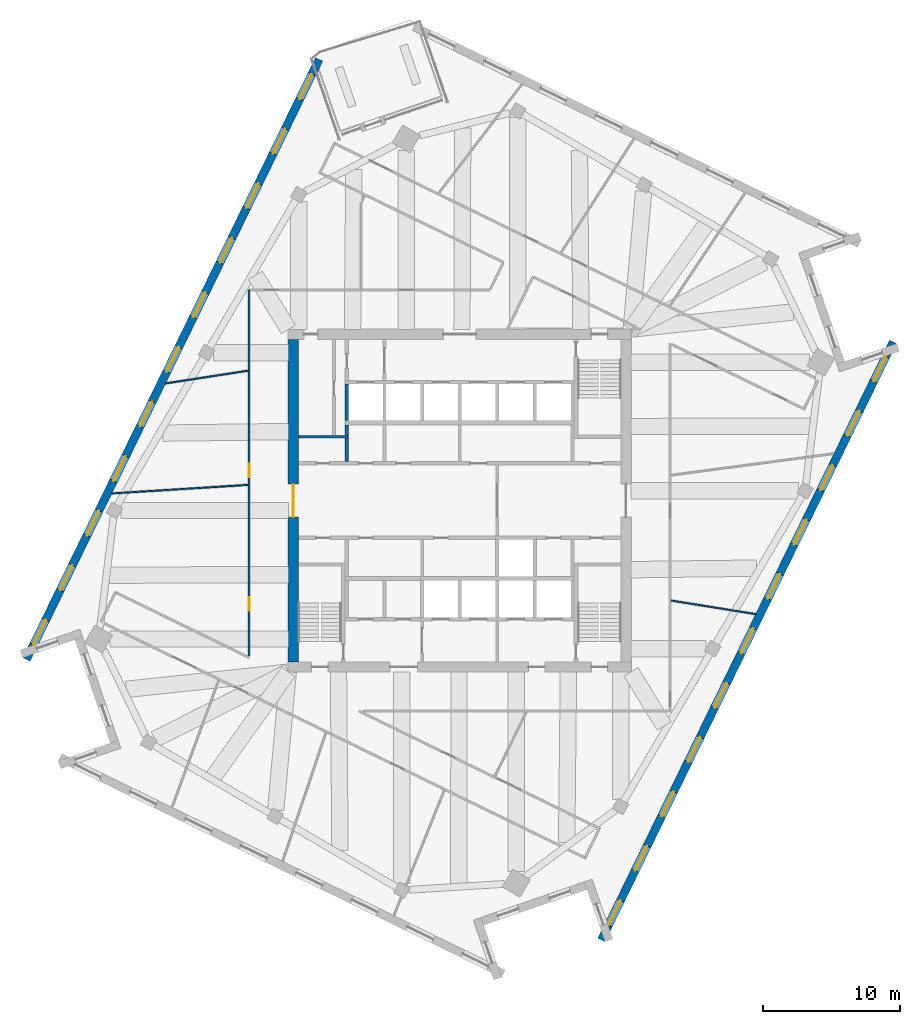
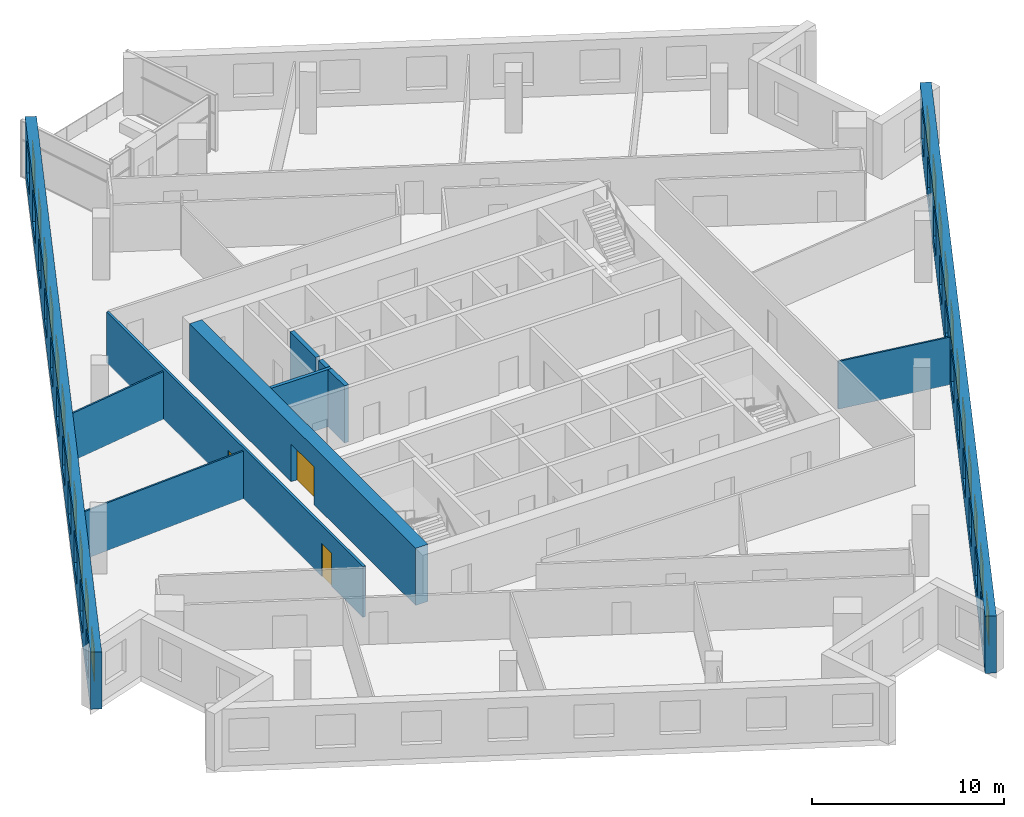
# One storey, part 8 of 13: 22 windows, 11 walls, 3 doors, 25 openings.
"""IFC4 building model written with IfcOpenShell, lengths in metres."""

from ifc_helpers import new_model, si_unit, direction, frame, frame_2d, origin, place, context, subcontext, project, spatial, rectangle, extrude, material, layer, layer_set, type_object, element, fill, save


model = new_model("IFC4")

# Units and contexts
model_context = context("Model", 3, precision=1e-05, world=origin(), true_north=direction((0.0, 1.0)))
body_context = subcontext(model_context, "Body", "Model", "MODEL_VIEW")
ifc_project = project(units=[si_unit("LENGTHUNIT", "METRE"), si_unit("AREAUNIT", "SQUARE_METRE"), si_unit("VOLUMEUNIT", "CUBIC_METRE"), si_unit("PLANEANGLEUNIT", "RADIAN"), si_unit("MASSUNIT", "GRAM", prefix="KILO")], contexts=[model_context])

# Site, building, storey
site_placement = place(None, origin())
site = spatial("IfcSite", under=ifc_project, at=site_placement, CompositionType="ELEMENT")
building_placement = place(site_placement, origin())
building = spatial("IfcBuilding", under=site, at=building_placement, Name="Dilmun Exchange Tower", CompositionType="ELEMENT")
storey_placement = place(building_placement, frame((0.0, 0.0, 286.89990234375)))
storey = spatial("IfcBuildingStorey", under=building, at=storey_placement, Name="L68", CompositionType="ELEMENT", Elevation=286.89990234375)

# Walls
ifc_material_1 = material(Name="Concrete C40/50", Category="concrete")
ifc_layer_1 = layer(ifc_material_1, 0.199951171875)
ifc_layer_set_1 = layer_set([ifc_layer_1], Name="Concrete C40/50")
wall_type_1 = type_object("IfcWallType", Name="Core partition wall 200", PredefinedType="PARTITIONING", material=ifc_layer_set_1)
wall_1_placement = place(storey_placement, frame((-11.794921875, 4.675048828125, 0.0), z_axis=(0.0, 0.0, 1.0), x_axis=(1.0, 0.0, 0.0)))
element("IfcWall", 1, at=wall_1_placement, inside=storey, type_object=wall_type_1, Name="L68 core partition wall 18", PredefinedType="PARTITIONING", context=body_context, shape_type="SweptSolid", body=[
    extrude(rectangle(XDim=3.64501953125, YDim=0.199951171875, at=frame_2d((1.822509765625, 0.0))), origin(), (0.0, 0.0, 1.0), 3.64013671875),
])
ifc_layer_2 = layer(ifc_material_1, 0.25)
ifc_layer_set_2 = layer_set([ifc_layer_2], Name="Concrete C40/50")
wall_type_2 = type_object("IfcWallType", Name="Core partition wall 250", PredefinedType="PARTITIONING", material=ifc_layer_set_2)
wall_2_placement = place(storey_placement, frame((-8.25, 2.85498046875, 0.0), z_axis=(0.0, 0.0, 1.0), x_axis=(0.0, 1.0, 0.0)))
element("IfcWall", 2, at=wall_2_placement, inside=storey, type_object=wall_type_2, Name="L68 core partition wall 14", PredefinedType="PARTITIONING", context=body_context, shape_type="SweptSolid", body=[
    extrude(rectangle(XDim=1.715087890625, YDim=0.25, at=frame_2d((0.857421875, 0.0))), origin(), (0.0, 0.0, 1.0), 3.64013671875),
])
wall_3_placement = place(storey_placement, frame((-8.25, 4.780029296875, 0.0), z_axis=(0.0, 0.0, 1.0), x_axis=(0.0, 1.0, 0.0)))
element("IfcWall", 3, at=wall_3_placement, inside=storey, type_object=wall_type_2, Name="L68 core partition wall 20", PredefinedType="PARTITIONING", context=body_context, shape_type="SweptSolid", body=[
    extrude(rectangle(XDim=0.764892578125, YDim=0.25, at=frame_2d((0.38232421875, 0.0))), origin(), (0.0, 0.0, 1.0), 3.64013671875),
])

# Wall, opening, door
ifc_material_2 = material(Name="Concrete C50/60", Category="concrete")
ifc_layer_3 = layer(ifc_material_2, 0.75)
ifc_layer_set_3 = layer_set([ifc_layer_3], Name="Concrete C50/60")
wall_type_3 = type_object("IfcWallType", Name="Core shear wall 750 Concrete C50/60", PredefinedType="SHEAR", material=ifc_layer_set_3)
wall_4_placement = place(storey_placement, frame((-12.175048828125, -11.800048828125, 0.0), z_axis=(0.0, 0.0, 1.0), x_axis=(0.0, 1.0, 0.0)))
wall_4 = element("IfcWall", 4, at=wall_4_placement, inside=storey, type_object=wall_type_3, Name="L68 core shear wall W", PredefinedType="SHEAR", context=body_context, shape_type="SweptSolid", body=[
    extrude(rectangle(XDim=23.60009765625, YDim=0.75, at=frame_2d((11.800048828125, 0.0))), origin(), (0.0, 0.0, 1.0), 3.64013671875),
])
opening_1_placement = place(wall_4_placement, frame((10.60009765625, 0.0, 0.0)))
opening_1 = element("IfcOpeningElement", 5, at=opening_1_placement, cuts=wall_4, Name="Opening CD1", PredefinedType="OPENING", context=body_context, shape_type="SweptSolid", body=[
    extrude(rectangle(XDim=2.39990234375, YDim=2.39990234375, at=frame_2d((1.199951171875, 1.199951171875))), frame((0.0, 0.385009765625, 0.0), z_axis=(0.0, -1.0, 0.0), x_axis=(1.0, 0.0, 0.0)), (0.0, 0.0, 1.0), 0.77001953125),
])
ifc_material_3 = material(Name="Fire-rated steel door set", Category="steel")
door_type_1 = type_object("IfcDoorType", Name="Core lobby door 2400x2400", OperationType="DOUBLE_DOOR_DOUBLE_SWING", PredefinedType="DOOR", material=ifc_material_3)
door_1_placement = place(opening_1_placement, origin())
door_1 = element("IfcDoor", 6, at=door_1_placement, inside=storey, type_object=door_type_1, Name="L68 door Central lift lobby", OperationType="SINGLE_SWING_LEFT", OverallHeight=2.39990234375, OverallWidth=2.39990234375, PredefinedType="DOOR", context=body_context, shape_type="SweptSolid", body=[
    extrude(rectangle(XDim=2.39990234375, YDim=2.39990234375, at=frame_2d((1.199951171875, 1.199951171875))), frame((0.0, 0.02490234375, 0.0), z_axis=(0.0, -1.0, 0.0), x_axis=(1.0, 0.0, 0.0)), (0.0, 0.0, 1.0), 0.050048828125),
])
fill(opening_1, door_1)

# Wall, openings, doors
ifc_material_4 = material(Name="Corridor wall 150")
ifc_layer_4 = layer(ifc_material_4, 0.14990234375)
ifc_layer_set_4 = layer_set([ifc_layer_4], Name="Corridor wall 150")
wall_type_4 = type_object("IfcWallType", Name="Corridor wall 150", PredefinedType="PARTITIONING", material=ifc_layer_set_4)
wall_5_placement = place(storey_placement, frame((-15.39990234375, -11.363037109375, 0.0), z_axis=(0.0, 0.0, 1.0), x_axis=(0.0, 1.0, 0.0)))
wall_5 = element("IfcWall", 7, at=wall_5_placement, inside=storey, type_object=wall_type_4, Name="Corridor wall", PredefinedType="PARTITIONING", context=body_context, shape_type="SweptSolid", body=[
    extrude(rectangle(XDim=26.762939453125, YDim=0.14990234375, at=frame_2d((13.38134765625, 0.0))), origin(), (0.0, 0.0, 1.0), 3.239990234375),
])
opening_2_placement = place(wall_5_placement, frame((3.300048828125, 0.0, 0.0)))
opening_2 = element("IfcOpeningElement", 8, at=opening_2_placement, cuts=wall_5, Name="Opening TF67-D02", PredefinedType="OPENING", context=body_context, shape_type="SweptSolid", body=[
    extrude(rectangle(XDim=1.0, YDim=2.10009765625, at=frame_2d((0.5, 1.050048828125))), frame((0.0, 0.0849609375, 0.0), z_axis=(0.0, -1.0, 0.0), x_axis=(1.0, 0.0, 0.0)), (0.0, 0.0, 1.0), 0.169921875),
])
opening_3_placement = place(wall_5_placement, frame((13.066650390625, 0.0, 0.0)))
opening_3 = element("IfcOpeningElement", 9, at=opening_3_placement, cuts=wall_5, Name="Opening TF67-D03", PredefinedType="OPENING", context=body_context, shape_type="SweptSolid", body=[
    extrude(rectangle(XDim=1.0, YDim=2.10009765625, at=frame_2d((0.5, 1.050048828125))), frame((0.0, 0.0849609375, 0.0), z_axis=(0.0, -1.0, 0.0), x_axis=(1.0, 0.0, 0.0)), (0.0, 0.0, 1.0), 0.169921875),
])
ifc_material_5 = material(Name="Fire door 1000 x 2100")
door_type_2 = type_object("IfcDoorType", Name="Fire door 1000 x 2100", OperationType="NOTDEFINED", PredefinedType="DOOR", material=ifc_material_5)
door_2_placement = place(opening_2_placement, origin())
door_2 = element("IfcDoor", 10, at=door_2_placement, inside=storey, type_object=door_type_2, Name="Door TF67-D02", OperationType="SINGLE_SWING_LEFT", OverallHeight=2.10009765625, OverallWidth=1.0, PredefinedType="DOOR", context=body_context, shape_type="SweptSolid", body=[
    extrude(rectangle(XDim=1.0, YDim=2.10009765625, at=frame_2d((0.5, 1.050048828125))), frame((0.0, 0.02490234375, 0.0), z_axis=(0.0, -1.0, 0.0), x_axis=(1.0, 0.0, 0.0)), (0.0, 0.0, 1.0), 0.050048828125),
])
fill(opening_2, door_2)
door_3_placement = place(opening_3_placement, origin())
door_3 = element("IfcDoor", 11, at=door_3_placement, inside=storey, type_object=door_type_2, Name="Door TF67-D03", OperationType="SINGLE_SWING_LEFT", OverallHeight=2.10009765625, OverallWidth=1.0, PredefinedType="DOOR", context=body_context, shape_type="SweptSolid", body=[
    extrude(rectangle(XDim=1.0, YDim=2.10009765625, at=frame_2d((0.5, 1.050048828125))), frame((0.0, 0.02490234375, 0.0), z_axis=(0.0, -1.0, 0.0), x_axis=(1.0, 0.0, 0.0)), (0.0, 0.0, 1.0), 0.050048828125),
])
fill(opening_3, door_3)

# Walls
ifc_layer_5 = layer(ifc_material_1, 0.25)
ifc_layer_set_5 = layer_set([ifc_layer_5], Name="Concrete C40/50")
wall_type_5 = type_object("IfcWallType", Name="Lift shaft wall 250", PredefinedType="SOLIDWALL", material=ifc_layer_set_5)
wall_6_placement = place(storey_placement, frame((-8.25, 5.85009765625, 0.0), z_axis=(0.0, 0.0, 1.0), x_axis=(0.0, 1.0, 0.0)))
element("IfcWall", 12, at=wall_6_placement, inside=storey, type_object=wall_type_5, Name="L68 lift shaft divider N20", PredefinedType="SOLIDWALL", context=body_context, shape_type="SweptSolid", body=[
    extrude(rectangle(XDim=2.699951171875, YDim=0.25, at=frame_2d((1.35009765625, 0.0))), origin(), (0.0, 0.0, 1.0), 3.64013671875),
])
ifc_material_6 = material(Name="Partition 100")
ifc_layer_6 = layer(ifc_material_6, 0.10009765625)
ifc_layer_set_6 = layer_set([ifc_layer_6], Name="Partition 100")
wall_type_6 = type_object("IfcWallType", Name="Partition 100", PredefinedType="PARTITIONING", material=ifc_layer_set_6)
wall_7_placement = place(storey_placement, frame((-25.442626953125, 0.525390625, 0.0), z_axis=(0.0, 0.0, 1.0), x_axis=(0.998034171975, 0.062672095621, 0.0)))
element("IfcWall", 13, at=wall_7_placement, inside=storey, type_object=wall_type_6, Name="Partition", PredefinedType="PARTITIONING", context=body_context, shape_type="SweptSolid", body=[
    extrude(rectangle(XDim=9.984130859375, YDim=0.10009765625, at=frame_2d((4.9921875, 0.0))), origin(), (0.0, 0.0, 1.0), 3.0400390625),
])
wall_8_placement = place(storey_placement, frame((-21.51708984375, 8.573974609375, 0.0), z_axis=(0.0, 0.0, 1.0), x_axis=(0.988254925965, 0.152814270625, 0.0)))
element("IfcWall", 14, at=wall_8_placement, inside=storey, type_object=wall_type_6, Name="Partition", PredefinedType="PARTITIONING", context=body_context, shape_type="SweptSolid", body=[
    extrude(rectangle(XDim=6.106201171875, YDim=0.10009765625, at=frame_2d((3.05322265625, 0.0))), origin(), (0.0, 0.0, 1.0), 3.0400390625),
])
wall_9_placement = place(storey_placement, frame((15.48291015625, -7.310302734375, 0.0), z_axis=(0.0, 0.0, 1.0), x_axis=(0.987314947832, -0.158774033734, 0.0)))
element("IfcWall", 15, at=wall_9_placement, inside=storey, type_object=wall_type_6, Name="Partition", PredefinedType="PARTITIONING", context=body_context, shape_type="SweptSolid", body=[
    extrude(rectangle(XDim=6.24609375, YDim=0.10009765625, at=frame_2d((3.123046875, 0.0))), origin(), (0.0, 0.0, 1.0), 3.0400390625),
])

# Wall, openings, windows
ifc_material_7 = material(Name="Precast concrete C50/60", Category="concrete")
ifc_layer_7 = layer(ifc_material_7, 0.60009765625)
ifc_layer_set_7 = layer_set([ifc_layer_7], Name="Precast concrete C50/60")
wall_type_7 = type_object("IfcWallType", Name="Precast stone-clad wall 600", PredefinedType="STANDARD", material=ifc_layer_set_7)
wall_10_placement = place(storey_placement, frame((-10.291748046875, 32.2783203125, 0.0), z_axis=(0.0, 0.0, 1.0), x_axis=(-0.438370550468, -0.898794337144, 0.0)))
wall_10 = element("IfcWall", 16, at=wall_10_placement, inside=storey, type_object=wall_type_7, Name="Facade wall L68-03", PredefinedType="STANDARD", context=body_context, shape_type="SweptSolid", body=[
    extrude(rectangle(XDim=48.843017578125, YDim=0.60009765625, at=frame_2d((24.42138671875, 0.0))), origin(), (0.0, 0.0, 1.0), 3.64013671875),
])
opening_4_placement = place(wall_10_placement, frame((1.22021484375, 0.0, 0.89990234375)))
opening_4 = element("IfcOpeningElement", 17, at=opening_4_placement, cuts=wall_10, Name="Opening W200-210", PredefinedType="OPENING", context=body_context, shape_type="SweptSolid", body=[
    extrude(rectangle(XDim=2.0, YDim=2.10009765625, at=frame_2d((1.0, 1.050048828125))), frame((0.0, 0.31005859375, 0.0), z_axis=(0.0, -1.0, 0.0), x_axis=(1.0, 0.0, 0.0)), (0.0, 0.0, 1.0), 0.6201171875),
])
opening_5_placement = place(wall_10_placement, frame((5.660400390625, 0.0, 0.89990234375)))
opening_5 = element("IfcOpeningElement", 18, at=opening_5_placement, cuts=wall_10, Name="Opening W200-210", PredefinedType="OPENING", context=body_context, shape_type="SweptSolid", body=[
    extrude(rectangle(XDim=2.0, YDim=2.10009765625, at=frame_2d((1.0, 1.050048828125))), frame((0.0, 0.31005859375, 0.0), z_axis=(0.0, -1.0, 0.0), x_axis=(1.0, 0.0, 0.0)), (0.0, 0.0, 1.0), 0.6201171875),
])
opening_6_placement = place(wall_10_placement, frame((10.1005859375, 0.0, 0.89990234375)))
opening_6 = element("IfcOpeningElement", 19, at=opening_6_placement, cuts=wall_10, Name="Opening W200-210", PredefinedType="OPENING", context=body_context, shape_type="SweptSolid", body=[
    extrude(rectangle(XDim=2.0, YDim=2.10009765625, at=frame_2d((1.0, 1.050048828125))), frame((0.0, 0.31005859375, 0.0), z_axis=(0.0, -1.0, 0.0), x_axis=(1.0, 0.0, 0.0)), (0.0, 0.0, 1.0), 0.6201171875),
])
opening_7_placement = place(wall_10_placement, frame((14.541015625, 0.0, 0.89990234375)))
opening_7 = element("IfcOpeningElement", 20, at=opening_7_placement, cuts=wall_10, Name="Opening W200-210", PredefinedType="OPENING", context=body_context, shape_type="SweptSolid", body=[
    extrude(rectangle(XDim=2.0, YDim=2.10009765625, at=frame_2d((1.0, 1.050048828125))), frame((0.0, 0.31005859375, 0.0), z_axis=(0.0, -1.0, 0.0), x_axis=(1.0, 0.0, 0.0)), (0.0, 0.0, 1.0), 0.6201171875),
])
opening_8_placement = place(wall_10_placement, frame((18.981201171875, 0.0, 0.89990234375)))
opening_8 = element("IfcOpeningElement", 21, at=opening_8_placement, cuts=wall_10, Name="Opening W200-210", PredefinedType="OPENING", context=body_context, shape_type="SweptSolid", body=[
    extrude(rectangle(XDim=2.0, YDim=2.10009765625, at=frame_2d((1.0, 1.050048828125))), frame((0.0, 0.31005859375, 0.0), z_axis=(0.0, -1.0, 0.0), x_axis=(1.0, 0.0, 0.0)), (0.0, 0.0, 1.0), 0.6201171875),
])
opening_9_placement = place(wall_10_placement, frame((23.421630859375, 0.0, 0.89990234375)))
opening_9 = element("IfcOpeningElement", 22, at=opening_9_placement, cuts=wall_10, Name="Opening W200-210", PredefinedType="OPENING", context=body_context, shape_type="SweptSolid", body=[
    extrude(rectangle(XDim=2.0, YDim=2.10009765625, at=frame_2d((1.0, 1.050048828125))), frame((0.0, 0.31005859375, 0.0), z_axis=(0.0, -1.0, 0.0), x_axis=(1.0, 0.0, 0.0)), (0.0, 0.0, 1.0), 0.6201171875),
])
opening_10_placement = place(wall_10_placement, frame((27.86181640625, 0.0, 0.89990234375)))
opening_10 = element("IfcOpeningElement", 23, at=opening_10_placement, cuts=wall_10, Name="Opening W200-210", PredefinedType="OPENING", context=body_context, shape_type="SweptSolid", body=[
    extrude(rectangle(XDim=2.0, YDim=2.10009765625, at=frame_2d((1.0, 1.050048828125))), frame((0.0, 0.31005859375, 0.0), z_axis=(0.0, -1.0, 0.0), x_axis=(1.0, 0.0, 0.0)), (0.0, 0.0, 1.0), 0.6201171875),
])
opening_11_placement = place(wall_10_placement, frame((32.302001953125, 0.0, 0.89990234375)))
opening_11 = element("IfcOpeningElement", 24, at=opening_11_placement, cuts=wall_10, Name="Opening W200-210", PredefinedType="OPENING", context=body_context, shape_type="SweptSolid", body=[
    extrude(rectangle(XDim=2.0, YDim=2.10009765625, at=frame_2d((1.0, 1.050048828125))), frame((0.0, 0.31005859375, 0.0), z_axis=(0.0, -1.0, 0.0), x_axis=(1.0, 0.0, 0.0)), (0.0, 0.0, 1.0), 0.6201171875),
])
opening_12_placement = place(wall_10_placement, frame((36.742431640625, 0.0, 0.89990234375)))
opening_12 = element("IfcOpeningElement", 25, at=opening_12_placement, cuts=wall_10, Name="Opening W200-210", PredefinedType="OPENING", context=body_context, shape_type="SweptSolid", body=[
    extrude(rectangle(XDim=2.0, YDim=2.10009765625, at=frame_2d((1.0, 1.050048828125))), frame((0.0, 0.31005859375, 0.0), z_axis=(0.0, -1.0, 0.0), x_axis=(1.0, 0.0, 0.0)), (0.0, 0.0, 1.0), 0.6201171875),
])
opening_13_placement = place(wall_10_placement, frame((41.1826171875, 0.0, 0.89990234375)))
opening_13 = element("IfcOpeningElement", 26, at=opening_13_placement, cuts=wall_10, Name="Opening W200-210", PredefinedType="OPENING", context=body_context, shape_type="SweptSolid", body=[
    extrude(rectangle(XDim=2.0, YDim=2.10009765625, at=frame_2d((1.0, 1.050048828125))), frame((0.0, 0.31005859375, 0.0), z_axis=(0.0, -1.0, 0.0), x_axis=(1.0, 0.0, 0.0)), (0.0, 0.0, 1.0), 0.6201171875),
])
opening_14_placement = place(wall_10_placement, frame((45.623046875, 0.0, 0.89990234375)))
opening_14 = element("IfcOpeningElement", 27, at=opening_14_placement, cuts=wall_10, Name="Opening W200-210", PredefinedType="OPENING", context=body_context, shape_type="SweptSolid", body=[
    extrude(rectangle(XDim=2.0, YDim=2.10009765625, at=frame_2d((1.0, 1.050048828125))), frame((0.0, 0.31005859375, 0.0), z_axis=(0.0, -1.0, 0.0), x_axis=(1.0, 0.0, 0.0)), (0.0, 0.0, 1.0), 0.6201171875),
])
ifc_material_8 = material(Name="Clear low-emissivity glass in aluminium frame", Category="aluminium")
window_type = type_object("IfcWindowType", Name="Punched window 2000 x 2100", PartitioningType="DOUBLE_PANEL_VERTICAL", PredefinedType="WINDOW", material=ifc_material_8)
window_1_placement = place(opening_4_placement, origin())
window_1 = element("IfcWindow", 28, at=window_1_placement, inside=storey, type_object=window_type, Name="Window 4.1", OverallHeight=2.10009765625, OverallWidth=2.0, PartitioningType="SINGLE_PANEL", PredefinedType="WINDOW", context=body_context, shape_type="SweptSolid", body=[
    extrude(rectangle(XDim=2.0, YDim=2.10009765625, at=frame_2d((1.0, 1.050048828125))), frame((0.0, 0.030029296875, 0.0), z_axis=(0.0, -1.0, 0.0), x_axis=(1.0, 0.0, 0.0)), (0.0, 0.0, 1.0), 0.06005859375),
])
fill(opening_4, window_1)
window_2_placement = place(opening_5_placement, origin())
window_2 = element("IfcWindow", 29, at=window_2_placement, inside=storey, type_object=window_type, Name="Window 4.2", OverallHeight=2.10009765625, OverallWidth=2.0, PartitioningType="SINGLE_PANEL", PredefinedType="WINDOW", context=body_context, shape_type="SweptSolid", body=[
    extrude(rectangle(XDim=2.0, YDim=2.10009765625, at=frame_2d((1.0, 1.050048828125))), frame((0.0, 0.030029296875, 0.0), z_axis=(0.0, -1.0, 0.0), x_axis=(1.0, 0.0, 0.0)), (0.0, 0.0, 1.0), 0.06005859375),
])
fill(opening_5, window_2)
window_3_placement = place(opening_6_placement, origin())
window_3 = element("IfcWindow", 30, at=window_3_placement, inside=storey, type_object=window_type, Name="Window 4.3", OverallHeight=2.10009765625, OverallWidth=2.0, PartitioningType="SINGLE_PANEL", PredefinedType="WINDOW", context=body_context, shape_type="SweptSolid", body=[
    extrude(rectangle(XDim=2.0, YDim=2.10009765625, at=frame_2d((1.0, 1.050048828125))), frame((0.0, 0.030029296875, 0.0), z_axis=(0.0, -1.0, 0.0), x_axis=(1.0, 0.0, 0.0)), (0.0, 0.0, 1.0), 0.06005859375),
])
fill(opening_6, window_3)
window_4_placement = place(opening_7_placement, origin())
window_4 = element("IfcWindow", 31, at=window_4_placement, inside=storey, type_object=window_type, Name="Window 4.4", OverallHeight=2.10009765625, OverallWidth=2.0, PartitioningType="SINGLE_PANEL", PredefinedType="WINDOW", context=body_context, shape_type="SweptSolid", body=[
    extrude(rectangle(XDim=2.0, YDim=2.10009765625, at=frame_2d((1.0, 1.050048828125))), frame((0.0, 0.030029296875, 0.0), z_axis=(0.0, -1.0, 0.0), x_axis=(1.0, 0.0, 0.0)), (0.0, 0.0, 1.0), 0.06005859375),
])
fill(opening_7, window_4)
window_5_placement = place(opening_8_placement, origin())
window_5 = element("IfcWindow", 32, at=window_5_placement, inside=storey, type_object=window_type, Name="Window 4.5", OverallHeight=2.10009765625, OverallWidth=2.0, PartitioningType="SINGLE_PANEL", PredefinedType="WINDOW", context=body_context, shape_type="SweptSolid", body=[
    extrude(rectangle(XDim=2.0, YDim=2.10009765625, at=frame_2d((1.0, 1.050048828125))), frame((0.0, 0.030029296875, 0.0), z_axis=(0.0, -1.0, 0.0), x_axis=(1.0, 0.0, 0.0)), (0.0, 0.0, 1.0), 0.06005859375),
])
fill(opening_8, window_5)
window_6_placement = place(opening_9_placement, origin())
window_6 = element("IfcWindow", 33, at=window_6_placement, inside=storey, type_object=window_type, Name="Window 4.6", OverallHeight=2.10009765625, OverallWidth=2.0, PartitioningType="SINGLE_PANEL", PredefinedType="WINDOW", context=body_context, shape_type="SweptSolid", body=[
    extrude(rectangle(XDim=2.0, YDim=2.10009765625, at=frame_2d((1.0, 1.050048828125))), frame((0.0, 0.030029296875, 0.0), z_axis=(0.0, -1.0, 0.0), x_axis=(1.0, 0.0, 0.0)), (0.0, 0.0, 1.0), 0.06005859375),
])
fill(opening_9, window_6)
window_7_placement = place(opening_10_placement, origin())
window_7 = element("IfcWindow", 34, at=window_7_placement, inside=storey, type_object=window_type, Name="Window 4.7", OverallHeight=2.10009765625, OverallWidth=2.0, PartitioningType="SINGLE_PANEL", PredefinedType="WINDOW", context=body_context, shape_type="SweptSolid", body=[
    extrude(rectangle(XDim=2.0, YDim=2.10009765625, at=frame_2d((1.0, 1.050048828125))), frame((0.0, 0.030029296875, 0.0), z_axis=(0.0, -1.0, 0.0), x_axis=(1.0, 0.0, 0.0)), (0.0, 0.0, 1.0), 0.06005859375),
])
fill(opening_10, window_7)
window_8_placement = place(opening_11_placement, origin())
window_8 = element("IfcWindow", 35, at=window_8_placement, inside=storey, type_object=window_type, Name="Window 4.8", OverallHeight=2.10009765625, OverallWidth=2.0, PartitioningType="SINGLE_PANEL", PredefinedType="WINDOW", context=body_context, shape_type="SweptSolid", body=[
    extrude(rectangle(XDim=2.0, YDim=2.10009765625, at=frame_2d((1.0, 1.050048828125))), frame((0.0, 0.030029296875, 0.0), z_axis=(0.0, -1.0, 0.0), x_axis=(1.0, 0.0, 0.0)), (0.0, 0.0, 1.0), 0.06005859375),
])
fill(opening_11, window_8)
window_9_placement = place(opening_12_placement, origin())
window_9 = element("IfcWindow", 36, at=window_9_placement, inside=storey, type_object=window_type, Name="Window 4.9", OverallHeight=2.10009765625, OverallWidth=2.0, PartitioningType="SINGLE_PANEL", PredefinedType="WINDOW", context=body_context, shape_type="SweptSolid", body=[
    extrude(rectangle(XDim=2.0, YDim=2.10009765625, at=frame_2d((1.0, 1.050048828125))), frame((0.0, 0.030029296875, 0.0), z_axis=(0.0, -1.0, 0.0), x_axis=(1.0, 0.0, 0.0)), (0.0, 0.0, 1.0), 0.06005859375),
])
fill(opening_12, window_9)
window_10_placement = place(opening_13_placement, origin())
window_10 = element("IfcWindow", 37, at=window_10_placement, inside=storey, type_object=window_type, Name="Window 4.10", OverallHeight=2.10009765625, OverallWidth=2.0, PartitioningType="SINGLE_PANEL", PredefinedType="WINDOW", context=body_context, shape_type="SweptSolid", body=[
    extrude(rectangle(XDim=2.0, YDim=2.10009765625, at=frame_2d((1.0, 1.050048828125))), frame((0.0, 0.030029296875, 0.0), z_axis=(0.0, -1.0, 0.0), x_axis=(1.0, 0.0, 0.0)), (0.0, 0.0, 1.0), 0.06005859375),
])
fill(opening_13, window_10)
window_11_placement = place(opening_14_placement, origin())
window_11 = element("IfcWindow", 38, at=window_11_placement, inside=storey, type_object=window_type, Name="Window 4.11", OverallHeight=2.10009765625, OverallWidth=2.0, PartitioningType="SINGLE_PANEL", PredefinedType="WINDOW", context=body_context, shape_type="SweptSolid", body=[
    extrude(rectangle(XDim=2.0, YDim=2.10009765625, at=frame_2d((1.0, 1.050048828125))), frame((0.0, 0.030029296875, 0.0), z_axis=(0.0, -1.0, 0.0), x_axis=(1.0, 0.0, 0.0)), (0.0, 0.0, 1.0), 0.06005859375),
])
fill(opening_14, window_11)

wall_11_placement = place(storey_placement, frame((10.3603515625, -32.137451171875, 0.0), z_axis=(0.0, 0.0, 1.0), x_axis=(0.438372256832, 0.898793504894, 0.0)))
wall_11 = element("IfcWall", 39, at=wall_11_placement, inside=storey, type_object=wall_type_7, Name="Facade wall L68-11", PredefinedType="STANDARD", context=body_context, shape_type="SweptSolid", body=[
    extrude(rectangle(XDim=48.6865234375, YDim=0.60009765625, at=frame_2d((24.34326171875, 0.0))), origin(), (0.0, 0.0, 1.0), 3.64013671875),
])
opening_15_placement = place(wall_11_placement, frame((1.212890625, 0.0, 0.89990234375)))
opening_15 = element("IfcOpeningElement", 40, at=opening_15_placement, cuts=wall_11, Name="Opening W200-210", PredefinedType="OPENING", context=body_context, shape_type="SweptSolid", body=[
    extrude(rectangle(XDim=2.0, YDim=2.10009765625, at=frame_2d((1.0, 1.050048828125))), frame((0.0, 0.31005859375, 0.0), z_axis=(0.0, -1.0, 0.0), x_axis=(1.0, 0.0, 0.0)), (0.0, 0.0, 1.0), 0.6201171875),
])
opening_16_placement = place(wall_11_placement, frame((5.638916015625, 0.0, 0.89990234375)))
opening_16 = element("IfcOpeningElement", 41, at=opening_16_placement, cuts=wall_11, Name="Opening W200-210", PredefinedType="OPENING", context=body_context, shape_type="SweptSolid", body=[
    extrude(rectangle(XDim=2.0, YDim=2.10009765625, at=frame_2d((1.0, 1.050048828125))), frame((0.0, 0.31005859375, 0.0), z_axis=(0.0, -1.0, 0.0), x_axis=(1.0, 0.0, 0.0)), (0.0, 0.0, 1.0), 0.6201171875),
])
opening_17_placement = place(wall_11_placement, frame((10.065185546875, 0.0, 0.89990234375)))
opening_17 = element("IfcOpeningElement", 42, at=opening_17_placement, cuts=wall_11, Name="Opening W200-210", PredefinedType="OPENING", context=body_context, shape_type="SweptSolid", body=[
    extrude(rectangle(XDim=2.0, YDim=2.10009765625, at=frame_2d((1.0, 1.050048828125))), frame((0.0, 0.31005859375, 0.0), z_axis=(0.0, -1.0, 0.0), x_axis=(1.0, 0.0, 0.0)), (0.0, 0.0, 1.0), 0.6201171875),
])
opening_18_placement = place(wall_11_placement, frame((14.4912109375, 0.0, 0.89990234375)))
opening_18 = element("IfcOpeningElement", 43, at=opening_18_placement, cuts=wall_11, Name="Opening W200-210", PredefinedType="OPENING", context=body_context, shape_type="SweptSolid", body=[
    extrude(rectangle(XDim=2.0, YDim=2.10009765625, at=frame_2d((1.0, 1.050048828125))), frame((0.0, 0.31005859375, 0.0), z_axis=(0.0, -1.0, 0.0), x_axis=(1.0, 0.0, 0.0)), (0.0, 0.0, 1.0), 0.6201171875),
])
opening_19_placement = place(wall_11_placement, frame((18.9169921875, 0.0, 0.89990234375)))
opening_19 = element("IfcOpeningElement", 44, at=opening_19_placement, cuts=wall_11, Name="Opening W200-210", PredefinedType="OPENING", context=body_context, shape_type="SweptSolid", body=[
    extrude(rectangle(XDim=2.0, YDim=2.10009765625, at=frame_2d((1.0, 1.050048828125))), frame((0.0, 0.31005859375, 0.0), z_axis=(0.0, -1.0, 0.0), x_axis=(1.0, 0.0, 0.0)), (0.0, 0.0, 1.0), 0.6201171875),
])
opening_20_placement = place(wall_11_placement, frame((23.343017578125, 0.0, 0.89990234375)))
opening_20 = element("IfcOpeningElement", 45, at=opening_20_placement, cuts=wall_11, Name="Opening W200-210", PredefinedType="OPENING", context=body_context, shape_type="SweptSolid", body=[
    extrude(rectangle(XDim=2.0, YDim=2.10009765625, at=frame_2d((1.0, 1.050048828125))), frame((0.0, 0.31005859375, 0.0), z_axis=(0.0, -1.0, 0.0), x_axis=(1.0, 0.0, 0.0)), (0.0, 0.0, 1.0), 0.6201171875),
])
opening_21_placement = place(wall_11_placement, frame((27.769287109375, 0.0, 0.89990234375)))
opening_21 = element("IfcOpeningElement", 46, at=opening_21_placement, cuts=wall_11, Name="Opening W200-210", PredefinedType="OPENING", context=body_context, shape_type="SweptSolid", body=[
    extrude(rectangle(XDim=2.0, YDim=2.10009765625, at=frame_2d((1.0, 1.050048828125))), frame((0.0, 0.31005859375, 0.0), z_axis=(0.0, -1.0, 0.0), x_axis=(1.0, 0.0, 0.0)), (0.0, 0.0, 1.0), 0.6201171875),
])
opening_22_placement = place(wall_11_placement, frame((32.1953125, 0.0, 0.89990234375)))
opening_22 = element("IfcOpeningElement", 47, at=opening_22_placement, cuts=wall_11, Name="Opening W200-210", PredefinedType="OPENING", context=body_context, shape_type="SweptSolid", body=[
    extrude(rectangle(XDim=2.0, YDim=2.10009765625, at=frame_2d((1.0, 1.050048828125))), frame((0.0, 0.31005859375, 0.0), z_axis=(0.0, -1.0, 0.0), x_axis=(1.0, 0.0, 0.0)), (0.0, 0.0, 1.0), 0.6201171875),
])
opening_23_placement = place(wall_11_placement, frame((36.62109375, 0.0, 0.89990234375)))
opening_23 = element("IfcOpeningElement", 48, at=opening_23_placement, cuts=wall_11, Name="Opening W200-210", PredefinedType="OPENING", context=body_context, shape_type="SweptSolid", body=[
    extrude(rectangle(XDim=2.0, YDim=2.10009765625, at=frame_2d((1.0, 1.050048828125))), frame((0.0, 0.31005859375, 0.0), z_axis=(0.0, -1.0, 0.0), x_axis=(1.0, 0.0, 0.0)), (0.0, 0.0, 1.0), 0.6201171875),
])
opening_24_placement = place(wall_11_placement, frame((41.04736328125, 0.0, 0.89990234375)))
opening_24 = element("IfcOpeningElement", 49, at=opening_24_placement, cuts=wall_11, Name="Opening W200-210", PredefinedType="OPENING", context=body_context, shape_type="SweptSolid", body=[
    extrude(rectangle(XDim=2.0, YDim=2.10009765625, at=frame_2d((1.0, 1.050048828125))), frame((0.0, 0.31005859375, 0.0), z_axis=(0.0, -1.0, 0.0), x_axis=(1.0, 0.0, 0.0)), (0.0, 0.0, 1.0), 0.6201171875),
])
opening_25_placement = place(wall_11_placement, frame((45.473388671875, 0.0, 0.89990234375)))
opening_25 = element("IfcOpeningElement", 50, at=opening_25_placement, cuts=wall_11, Name="Opening W200-210", PredefinedType="OPENING", context=body_context, shape_type="SweptSolid", body=[
    extrude(rectangle(XDim=2.0, YDim=2.10009765625, at=frame_2d((1.0, 1.050048828125))), frame((0.0, 0.31005859375, 0.0), z_axis=(0.0, -1.0, 0.0), x_axis=(1.0, 0.0, 0.0)), (0.0, 0.0, 1.0), 0.6201171875),
])
window_12_placement = place(opening_15_placement, origin())
window_12 = element("IfcWindow", 51, at=window_12_placement, inside=storey, type_object=window_type, Name="Window 12.1", OverallHeight=2.10009765625, OverallWidth=2.0, PartitioningType="SINGLE_PANEL", PredefinedType="WINDOW", context=body_context, shape_type="SweptSolid", body=[
    extrude(rectangle(XDim=2.0, YDim=2.10009765625, at=frame_2d((1.0, 1.050048828125))), frame((0.0, 0.030029296875, 0.0), z_axis=(0.0, -1.0, 0.0), x_axis=(1.0, 0.0, 0.0)), (0.0, 0.0, 1.0), 0.06005859375),
])
fill(opening_15, window_12)
window_13_placement = place(opening_16_placement, origin())
window_13 = element("IfcWindow", 52, at=window_13_placement, inside=storey, type_object=window_type, Name="Window 12.2", OverallHeight=2.10009765625, OverallWidth=2.0, PartitioningType="SINGLE_PANEL", PredefinedType="WINDOW", context=body_context, shape_type="SweptSolid", body=[
    extrude(rectangle(XDim=2.0, YDim=2.10009765625, at=frame_2d((1.0, 1.050048828125))), frame((0.0, 0.030029296875, 0.0), z_axis=(0.0, -1.0, 0.0), x_axis=(1.0, 0.0, 0.0)), (0.0, 0.0, 1.0), 0.06005859375),
])
fill(opening_16, window_13)
window_14_placement = place(opening_17_placement, origin())
window_14 = element("IfcWindow", 53, at=window_14_placement, inside=storey, type_object=window_type, Name="Window 12.3", OverallHeight=2.10009765625, OverallWidth=2.0, PartitioningType="SINGLE_PANEL", PredefinedType="WINDOW", context=body_context, shape_type="SweptSolid", body=[
    extrude(rectangle(XDim=2.0, YDim=2.10009765625, at=frame_2d((1.0, 1.050048828125))), frame((0.0, 0.030029296875, 0.0), z_axis=(0.0, -1.0, 0.0), x_axis=(1.0, 0.0, 0.0)), (0.0, 0.0, 1.0), 0.06005859375),
])
fill(opening_17, window_14)
window_15_placement = place(opening_18_placement, origin())
window_15 = element("IfcWindow", 54, at=window_15_placement, inside=storey, type_object=window_type, Name="Window 12.4", OverallHeight=2.10009765625, OverallWidth=2.0, PartitioningType="SINGLE_PANEL", PredefinedType="WINDOW", context=body_context, shape_type="SweptSolid", body=[
    extrude(rectangle(XDim=2.0, YDim=2.10009765625, at=frame_2d((1.0, 1.050048828125))), frame((0.0, 0.030029296875, 0.0), z_axis=(0.0, -1.0, 0.0), x_axis=(1.0, 0.0, 0.0)), (0.0, 0.0, 1.0), 0.06005859375),
])
fill(opening_18, window_15)
window_16_placement = place(opening_19_placement, origin())
window_16 = element("IfcWindow", 55, at=window_16_placement, inside=storey, type_object=window_type, Name="Window 12.5", OverallHeight=2.10009765625, OverallWidth=2.0, PartitioningType="SINGLE_PANEL", PredefinedType="WINDOW", context=body_context, shape_type="SweptSolid", body=[
    extrude(rectangle(XDim=2.0, YDim=2.10009765625, at=frame_2d((1.0, 1.050048828125))), frame((0.0, 0.030029296875, 0.0), z_axis=(0.0, -1.0, 0.0), x_axis=(1.0, 0.0, 0.0)), (0.0, 0.0, 1.0), 0.06005859375),
])
fill(opening_19, window_16)
window_17_placement = place(opening_20_placement, origin())
window_17 = element("IfcWindow", 56, at=window_17_placement, inside=storey, type_object=window_type, Name="Window 12.6", OverallHeight=2.10009765625, OverallWidth=2.0, PartitioningType="SINGLE_PANEL", PredefinedType="WINDOW", context=body_context, shape_type="SweptSolid", body=[
    extrude(rectangle(XDim=2.0, YDim=2.10009765625, at=frame_2d((1.0, 1.050048828125))), frame((0.0, 0.030029296875, 0.0), z_axis=(0.0, -1.0, 0.0), x_axis=(1.0, 0.0, 0.0)), (0.0, 0.0, 1.0), 0.06005859375),
])
fill(opening_20, window_17)
window_18_placement = place(opening_21_placement, origin())
window_18 = element("IfcWindow", 57, at=window_18_placement, inside=storey, type_object=window_type, Name="Window 12.7", OverallHeight=2.10009765625, OverallWidth=2.0, PartitioningType="SINGLE_PANEL", PredefinedType="WINDOW", context=body_context, shape_type="SweptSolid", body=[
    extrude(rectangle(XDim=2.0, YDim=2.10009765625, at=frame_2d((1.0, 1.050048828125))), frame((0.0, 0.030029296875, 0.0), z_axis=(0.0, -1.0, 0.0), x_axis=(1.0, 0.0, 0.0)), (0.0, 0.0, 1.0), 0.06005859375),
])
fill(opening_21, window_18)
window_19_placement = place(opening_22_placement, origin())
window_19 = element("IfcWindow", 58, at=window_19_placement, inside=storey, type_object=window_type, Name="Window 12.8", OverallHeight=2.10009765625, OverallWidth=2.0, PartitioningType="SINGLE_PANEL", PredefinedType="WINDOW", context=body_context, shape_type="SweptSolid", body=[
    extrude(rectangle(XDim=2.0, YDim=2.10009765625, at=frame_2d((1.0, 1.050048828125))), frame((0.0, 0.030029296875, 0.0), z_axis=(0.0, -1.0, 0.0), x_axis=(1.0, 0.0, 0.0)), (0.0, 0.0, 1.0), 0.06005859375),
])
fill(opening_22, window_19)
window_20_placement = place(opening_23_placement, origin())
window_20 = element("IfcWindow", 59, at=window_20_placement, inside=storey, type_object=window_type, Name="Window 12.9", OverallHeight=2.10009765625, OverallWidth=2.0, PartitioningType="SINGLE_PANEL", PredefinedType="WINDOW", context=body_context, shape_type="SweptSolid", body=[
    extrude(rectangle(XDim=2.0, YDim=2.10009765625, at=frame_2d((1.0, 1.050048828125))), frame((0.0, 0.030029296875, 0.0), z_axis=(0.0, -1.0, 0.0), x_axis=(1.0, 0.0, 0.0)), (0.0, 0.0, 1.0), 0.06005859375),
])
fill(opening_23, window_20)
window_21_placement = place(opening_24_placement, origin())
window_21 = element("IfcWindow", 60, at=window_21_placement, inside=storey, type_object=window_type, Name="Window 12.10", OverallHeight=2.10009765625, OverallWidth=2.0, PartitioningType="SINGLE_PANEL", PredefinedType="WINDOW", context=body_context, shape_type="SweptSolid", body=[
    extrude(rectangle(XDim=2.0, YDim=2.10009765625, at=frame_2d((1.0, 1.050048828125))), frame((0.0, 0.030029296875, 0.0), z_axis=(0.0, -1.0, 0.0), x_axis=(1.0, 0.0, 0.0)), (0.0, 0.0, 1.0), 0.06005859375),
])
fill(opening_24, window_21)
window_22_placement = place(opening_25_placement, origin())
window_22 = element("IfcWindow", 61, at=window_22_placement, inside=storey, type_object=window_type, Name="Window 12.11", OverallHeight=2.10009765625, OverallWidth=2.0, PartitioningType="SINGLE_PANEL", PredefinedType="WINDOW", context=body_context, shape_type="SweptSolid", body=[
    extrude(rectangle(XDim=2.0, YDim=2.10009765625, at=frame_2d((1.0, 1.050048828125))), frame((0.0, 0.030029296875, 0.0), z_axis=(0.0, -1.0, 0.0), x_axis=(1.0, 0.0, 0.0)), (0.0, 0.0, 1.0), 0.06005859375),
])
fill(opening_25, window_22)

save(model, "model.ifc")
